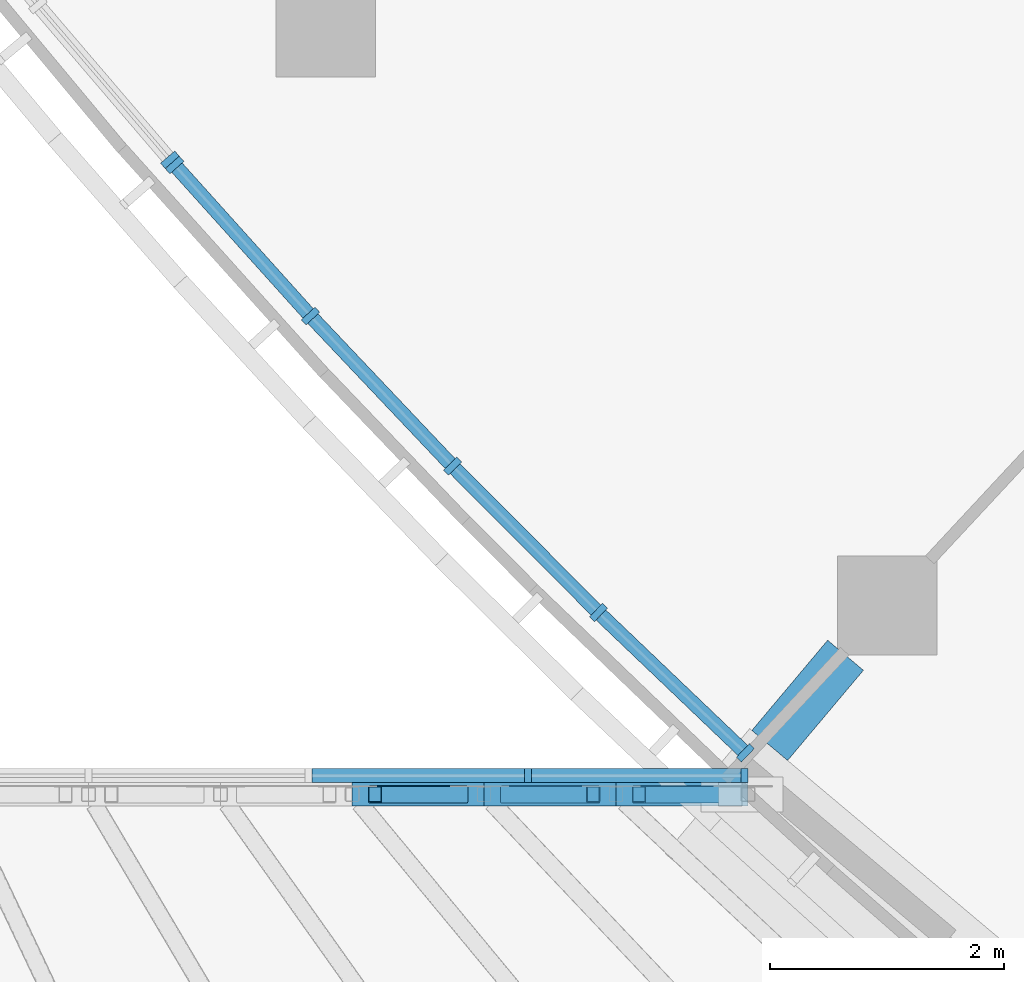
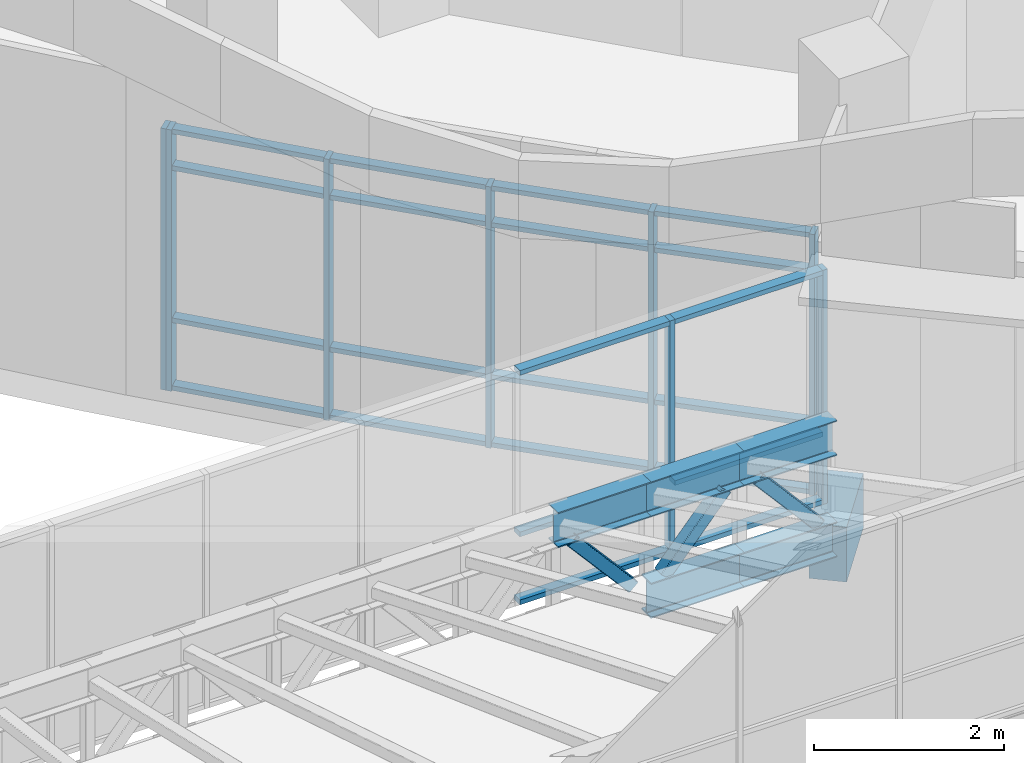
# One storey, part 7 of 136: 38 members, 1 beam, 3 elements without a shape of their own.
"""IFC4 building model written with IfcOpenShell, lengths in metres."""

from ifc_helpers import new_model, si_unit, direction, frame, origin, origin_2d, place, context, subcontext, project, spatial, rectangle, hollow_rectangle, i_section, extrude, material, material_profile, profile_set, type_object, element, aggregate, save


model = new_model("IFC4")

# Units and contexts
model_context = context("Model", 3, precision=1e-05, world=origin(), true_north=direction((0.0, 1.0)))
body_context = subcontext(model_context, "Body", "Model", "MODEL_VIEW")
ifc_project = project(units=[si_unit("LENGTHUNIT", "METRE"), si_unit("AREAUNIT", "SQUARE_METRE"), si_unit("VOLUMEUNIT", "CUBIC_METRE"), si_unit("PLANEANGLEUNIT", "RADIAN"), si_unit("MASSUNIT", "GRAM", prefix="KILO")], contexts=[model_context])

# Site, building, storey
site_placement = place(None, origin())
site = spatial("IfcSite", under=ifc_project, at=site_placement, CompositionType="ELEMENT")
building_placement = place(site_placement, origin())
building = spatial("IfcBuilding", under=site, at=building_placement, Name="Bougainvillea Quay General Hospital", CompositionType="ELEMENT")
storey_placement = place(building_placement, frame((0.0, 0.0, 5.39990234375)))
storey = spatial("IfcBuildingStorey", under=building, at=storey_placement, Name="L01", CompositionType="ELEMENT", Elevation=5.39990234375)

# Curtain wall, members
ifc_material_1 = material(Name="Aluminium curtain wall system, powder-coated glazed", Category="aluminium")
curtain_wall_type = type_object("IfcCurtainWallType", Name="Unitised curtain wall CW-2100", PredefinedType="NOTDEFINED", material=ifc_material_1)
curtain_wall_1_placement = place(storey_placement, origin())
curtain_wall_1 = element("IfcCurtainWall", 1, at=curtain_wall_1_placement, inside=storey, type_object=curtain_wall_type, Name="BG-L L", PredefinedType="NOTDEFINED")
ifc_material_2 = material(Name="Aluminium mullion, powder-coated charcoal", Category="aluminium")
ifc_material_profile_1 = material_profile(ifc_material_2, rectangle(XDim=0.1201171875, YDim=0.06005859375, at=origin_2d()))
ifc_profile_set_1 = profile_set([ifc_material_profile_1], Name="Aluminium mullion, powder-coated charcoal")
member_type_1 = type_object("IfcMemberType", Name="Curtain wall mullion 120x60", PredefinedType="MULLION", material=ifc_profile_set_1)
member_1_placement = place(storey_placement, frame((59.80615234375, 74.760009765625, 0.0), z_axis=(0.0, 0.0, 1.0), x_axis=(0.0, 1.0, 0.0)))
member_1 = element("IfcMember", 2, at=member_1_placement, type_object=member_type_1, Name="BG-L mullion 6", PredefinedType="MULLION", context=body_context, shape_type="SweptSolid", body=[
    extrude(rectangle(XDim=0.1201171875, YDim=0.06005859375, at=origin_2d()), origin(), (0.0, 0.0, 1.0), 3.0),
])
member_2_placement = place(storey_placement, frame((61.657470703125, 74.760009765625, 0.0), z_axis=(0.0, 0.0, 1.0), x_axis=(0.0, 1.0, 0.0)))
member_2 = element("IfcMember", 3, at=member_2_placement, type_object=member_type_1, Name="BG-L mullion 7", PredefinedType="MULLION", context=body_context, shape_type="SweptSolid", body=[
    extrude(rectangle(XDim=0.1201171875, YDim=0.06005859375, at=origin_2d()), origin(), (0.0, 0.0, 1.0), 3.0),
])

curtain_wall_2_placement = place(storey_placement, origin())
curtain_wall_2 = element("IfcCurtainWall", 4, at=curtain_wall_2_placement, inside=storey, type_object=curtain_wall_type, Name="CW-W04 a01b3", PredefinedType="NOTDEFINED")
ifc_material_profile_2 = material_profile(ifc_material_2, rectangle(XDim=0.159912109375, YDim=0.06005859375, at=origin_2d()))
ifc_profile_set_2 = profile_set([ifc_material_profile_2], Name="Aluminium mullion, powder-coated charcoal")
member_type_2 = type_object("IfcMemberType", Name="Curtain wall mullion 160x60", PredefinedType="MULLION", material=ifc_profile_set_2)
member_3_placement = place(storey_placement, frame((61.666015625, 74.955810546875, 0.0), z_axis=(0.0, 0.0, 1.0), x_axis=(-0.690409082244, -0.72341917251, 0.0)))
member_3 = element("IfcMember", 5, at=member_3_placement, type_object=member_type_2, Name="CW-W04 mullion 1", PredefinedType="MULLION", context=body_context, shape_type="SweptSolid", body=[
    extrude(rectangle(XDim=0.159912109375, YDim=0.06005859375, at=origin_2d()), origin(), (0.0, 0.0, 1.0), 3.35009765625),
])
member_4_placement = place(storey_placement, frame((60.407958984375, 76.15625, 0.0), z_axis=(0.0, 0.0, 1.0), x_axis=(-0.699526158712, -0.714606992183, 0.0)))
member_4 = element("IfcMember", 6, at=member_4_placement, type_object=member_type_2, Name="CW-W04 mullion 2", PredefinedType="MULLION", context=body_context, shape_type="SweptSolid", body=[
    extrude(rectangle(XDim=0.159912109375, YDim=0.06005859375, at=origin_2d()), origin(), (0.0, 0.0, 1.0), 3.35009765625),
])
member_5_placement = place(storey_placement, frame((59.159912109375, 77.409423828125, 0.0), z_axis=(0.0, 0.0, 1.0), x_axis=(-0.717421463702, -0.69663939267, 0.0)))
member_5 = element("IfcMember", 7, at=member_5_placement, type_object=member_type_2, Name="CW-W04 mullion 3", PredefinedType="MULLION", context=body_context, shape_type="SweptSolid", body=[
    extrude(rectangle(XDim=0.159912109375, YDim=0.06005859375, at=origin_2d()), origin(), (0.0, 0.0, 1.0), 3.35009765625),
])
member_6_placement = place(storey_placement, frame((57.94384765625, 78.69384765625, 0.0), z_axis=(0.0, 0.0, 1.0), x_axis=(-0.734855411756, -0.678223800683, 0.0)))
member_6 = element("IfcMember", 8, at=member_6_placement, type_object=member_type_2, Name="CW-W04 mullion 4", PredefinedType="MULLION", context=body_context, shape_type="SweptSolid", body=[
    extrude(rectangle(XDim=0.159912109375, YDim=0.06005859375, at=origin_2d()), origin(), (0.0, 0.0, 1.0), 3.35009765625),
])
member_7_placement = place(storey_placement, frame((56.78076171875, 79.986572265625, 0.0), z_axis=(0.0, 0.0, 1.0), x_axis=(-0.743395861593, -0.668851697289, 0.0)))
member_7 = element("IfcMember", 9, at=member_7_placement, type_object=member_type_2, Name="CW-W04 mullion 5", PredefinedType="MULLION", context=body_context, shape_type="SweptSolid", body=[
    extrude(rectangle(XDim=0.159912109375, YDim=0.06005859375, at=origin_2d()), origin(), (0.0, 0.0, 1.0), 3.35009765625),
])

# Curtain wall, member
curtain_wall_3_placement = place(storey_placement, origin())
curtain_wall_3 = element("IfcCurtainWall", 10, at=curtain_wall_3_placement, inside=storey, type_object=curtain_wall_type, Name="CW-W05 a01b4", PredefinedType="NOTDEFINED")
member_8_placement = place(storey_placement, frame((56.7412109375, 80.031494140625, 0.0), z_axis=(0.0, 0.0, 1.0), x_axis=(-0.760116847627, -0.649786409486, 0.0)))
member_8 = element("IfcMember", 11, at=member_8_placement, type_object=member_type_2, Name="CW-W05 mullion 1", PredefinedType="MULLION", context=body_context, shape_type="SweptSolid", body=[
    extrude(rectangle(XDim=0.159912109375, YDim=0.06005859375, at=origin_2d()), origin(), (0.0, 0.0, 1.0), 3.35009765625),
])
aggregate(curtain_wall_3, [member_8])

# Member
ifc_material_3 = material(Name="Aluminium transom, powder-coated charcoal", Category="aluminium")
ifc_material_profile_3 = material_profile(ifc_material_3, rectangle(XDim=0.1201171875, YDim=0.06005859375, at=origin_2d()))
ifc_profile_set_3 = profile_set([ifc_material_profile_3], Name="Aluminium transom, powder-coated charcoal")
member_type_3 = type_object("IfcMemberType", Name="Curtain wall transom 120x60", PredefinedType="USERDEFINED", material=ifc_profile_set_3)
member_9_placement = place(storey_placement, frame((61.644287109375, 74.976318359375, 0.030029296875), z_axis=(-0.723418264264, 0.690410033914, 0.0), x_axis=(-0.690410033914, -0.723418264264, 0.0)))
member_9 = element("IfcMember", 12, at=member_9_placement, type_object=member_type_3, Name="CW-W04 transom 1.1", ObjectType="TRANSOM", PredefinedType="USERDEFINED", context=body_context, shape_type="SweptSolid", body=[
    extrude(rectangle(XDim=0.1201171875, YDim=0.06005859375, at=origin_2d()), origin(), (0.0, 0.0, 1.0), 1.678955078125),
])

member_10_placement = place(storey_placement, frame((61.644287109375, 74.976318359375, 0.900146484375), z_axis=(-0.723418264264, 0.690410033914, 0.0), x_axis=(-0.690410033914, -0.723418264264, 0.0)))
member_10 = element("IfcMember", 13, at=member_10_placement, type_object=member_type_3, Name="CW-W04 transom 1.2", ObjectType="TRANSOM", PredefinedType="USERDEFINED", context=body_context, shape_type="SweptSolid", body=[
    extrude(rectangle(XDim=0.1201171875, YDim=0.06005859375, at=origin_2d()), origin(), (0.0, 0.0, 1.0), 1.678955078125),
])

member_11_placement = place(storey_placement, frame((61.644287109375, 74.976318359375, 2.85009765625), z_axis=(-0.723418264264, 0.690410033914, 0.0), x_axis=(-0.690410033914, -0.723418264264, 0.0)))
member_11 = element("IfcMember", 14, at=member_11_placement, type_object=member_type_3, Name="CW-W04 transom 1.3", ObjectType="TRANSOM", PredefinedType="USERDEFINED", context=body_context, shape_type="SweptSolid", body=[
    extrude(rectangle(XDim=0.1201171875, YDim=0.06005859375, at=origin_2d()), origin(), (0.0, 0.0, 1.0), 1.678955078125),
])

member_12_placement = place(storey_placement, frame((61.644287109375, 74.976318359375, 3.320068359375), z_axis=(-0.723418264264, 0.690410033914, 0.0), x_axis=(-0.690410033914, -0.723418264264, 0.0)))
member_12 = element("IfcMember", 15, at=member_12_placement, type_object=member_type_3, Name="CW-W04 transom 1.4", ObjectType="TRANSOM", PredefinedType="USERDEFINED", context=body_context, shape_type="SweptSolid", body=[
    extrude(rectangle(XDim=0.1201171875, YDim=0.06005859375, at=origin_2d()), origin(), (0.0, 0.0, 1.0), 1.678955078125),
])

member_13_placement = place(storey_placement, frame((60.386962890625, 76.177490234375, 0.030029296875), z_axis=(-0.705676553405, 0.708534121955, 0.0), x_axis=(-0.708534121955, -0.705676553405, 0.0)))
member_13 = element("IfcMember", 16, at=member_13_placement, type_object=member_type_3, Name="CW-W04 transom 2.1", ObjectType="TRANSOM", PredefinedType="USERDEFINED", context=body_context, shape_type="SweptSolid", body=[
    extrude(rectangle(XDim=0.1201171875, YDim=0.06005859375, at=origin_2d()), origin(), (0.0, 0.0, 1.0), 1.708740234375),
])

member_14_placement = place(storey_placement, frame((60.386962890625, 76.177490234375, 0.900146484375), z_axis=(-0.705676553405, 0.708534121955, 0.0), x_axis=(-0.708534121955, -0.705676553405, 0.0)))
member_14 = element("IfcMember", 17, at=member_14_placement, type_object=member_type_3, Name="CW-W04 transom 2.2", ObjectType="TRANSOM", PredefinedType="USERDEFINED", context=body_context, shape_type="SweptSolid", body=[
    extrude(rectangle(XDim=0.1201171875, YDim=0.06005859375, at=origin_2d()), origin(), (0.0, 0.0, 1.0), 1.708740234375),
])

member_15_placement = place(storey_placement, frame((60.386962890625, 76.177490234375, 2.85009765625), z_axis=(-0.705676553405, 0.708534121955, 0.0), x_axis=(-0.708534121955, -0.705676553405, 0.0)))
member_15 = element("IfcMember", 18, at=member_15_placement, type_object=member_type_3, Name="CW-W04 transom 2.3", ObjectType="TRANSOM", PredefinedType="USERDEFINED", context=body_context, shape_type="SweptSolid", body=[
    extrude(rectangle(XDim=0.1201171875, YDim=0.06005859375, at=origin_2d()), origin(), (0.0, 0.0, 1.0), 1.708740234375),
])

member_16_placement = place(storey_placement, frame((60.386962890625, 76.177490234375, 3.320068359375), z_axis=(-0.705676553405, 0.708534121955, 0.0), x_axis=(-0.708534121955, -0.705676553405, 0.0)))
member_16 = element("IfcMember", 19, at=member_16_placement, type_object=member_type_3, Name="CW-W04 transom 2.4", ObjectType="TRANSOM", PredefinedType="USERDEFINED", context=body_context, shape_type="SweptSolid", body=[
    extrude(rectangle(XDim=0.1201171875, YDim=0.06005859375, at=origin_2d()), origin(), (0.0, 0.0, 1.0), 1.708740234375),
])

member_17_placement = place(storey_placement, frame((59.13916015625, 77.43115234375, 0.030029296875), z_axis=(-0.687483060128, 0.726200414512, 0.0), x_axis=(-0.726200414512, -0.687483060128, 0.0)))
member_17 = element("IfcMember", 20, at=member_17_placement, type_object=member_type_3, Name="CW-W04 transom 3.1", ObjectType="TRANSOM", PredefinedType="USERDEFINED", context=body_context, shape_type="SweptSolid", body=[
    extrude(rectangle(XDim=0.1201171875, YDim=0.06005859375, at=origin_2d()), origin(), (0.0, 0.0, 1.0), 1.708740234375),
])

member_18_placement = place(storey_placement, frame((59.13916015625, 77.43115234375, 0.900146484375), z_axis=(-0.687483060128, 0.726200414512, 0.0), x_axis=(-0.726200414512, -0.687483060128, 0.0)))
member_18 = element("IfcMember", 21, at=member_18_placement, type_object=member_type_3, Name="CW-W04 transom 3.2", ObjectType="TRANSOM", PredefinedType="USERDEFINED", context=body_context, shape_type="SweptSolid", body=[
    extrude(rectangle(XDim=0.1201171875, YDim=0.06005859375, at=origin_2d()), origin(), (0.0, 0.0, 1.0), 1.708740234375),
])

member_19_placement = place(storey_placement, frame((59.13916015625, 77.43115234375, 2.85009765625), z_axis=(-0.687483060128, 0.726200414512, 0.0), x_axis=(-0.726200414512, -0.687483060128, 0.0)))
member_19 = element("IfcMember", 22, at=member_19_placement, type_object=member_type_3, Name="CW-W04 transom 3.3", ObjectType="TRANSOM", PredefinedType="USERDEFINED", context=body_context, shape_type="SweptSolid", body=[
    extrude(rectangle(XDim=0.1201171875, YDim=0.06005859375, at=origin_2d()), origin(), (0.0, 0.0, 1.0), 1.708740234375),
])

member_20_placement = place(storey_placement, frame((59.13916015625, 77.43115234375, 3.320068359375), z_axis=(-0.687483060128, 0.726200414512, 0.0), x_axis=(-0.726200414512, -0.687483060128, 0.0)))
member_20 = element("IfcMember", 23, at=member_20_placement, type_object=member_type_3, Name="CW-W04 transom 3.4", ObjectType="TRANSOM", PredefinedType="USERDEFINED", context=body_context, shape_type="SweptSolid", body=[
    extrude(rectangle(XDim=0.1201171875, YDim=0.06005859375, at=origin_2d()), origin(), (0.0, 0.0, 1.0), 1.708740234375),
])

member_21_placement = place(storey_placement, frame((57.923828125, 78.71630859375, 0.030029296875), z_axis=(-0.668892408727, 0.743359230485, 0.0), x_axis=(-0.743359230485, -0.668892408727, 0.0)))
member_21 = element("IfcMember", 24, at=member_21_placement, type_object=member_type_3, Name="CW-W04 transom 4.1", ObjectType="TRANSOM", PredefinedType="USERDEFINED", context=body_context, shape_type="SweptSolid", body=[
    extrude(rectangle(XDim=0.1201171875, YDim=0.06005859375, at=origin_2d()), origin(), (0.0, 0.0, 1.0), 1.6787109375),
])

member_22_placement = place(storey_placement, frame((57.923828125, 78.71630859375, 0.900146484375), z_axis=(-0.668892408727, 0.743359230485, 0.0), x_axis=(-0.743359230485, -0.668892408727, 0.0)))
member_22 = element("IfcMember", 25, at=member_22_placement, type_object=member_type_3, Name="CW-W04 transom 4.2", ObjectType="TRANSOM", PredefinedType="USERDEFINED", context=body_context, shape_type="SweptSolid", body=[
    extrude(rectangle(XDim=0.1201171875, YDim=0.06005859375, at=origin_2d()), origin(), (0.0, 0.0, 1.0), 1.6787109375),
])

member_23_placement = place(storey_placement, frame((57.923828125, 78.71630859375, 2.85009765625), z_axis=(-0.668892408727, 0.743359230485, 0.0), x_axis=(-0.743359230485, -0.668892408727, 0.0)))
member_23 = element("IfcMember", 26, at=member_23_placement, type_object=member_type_3, Name="CW-W04 transom 4.3", ObjectType="TRANSOM", PredefinedType="USERDEFINED", context=body_context, shape_type="SweptSolid", body=[
    extrude(rectangle(XDim=0.1201171875, YDim=0.06005859375, at=origin_2d()), origin(), (0.0, 0.0, 1.0), 1.6787109375),
])

member_24_placement = place(storey_placement, frame((57.923828125, 78.71630859375, 3.320068359375), z_axis=(-0.668892408727, 0.743359230485, 0.0), x_axis=(-0.743359230485, -0.668892408727, 0.0)))
member_24 = element("IfcMember", 27, at=member_24_placement, type_object=member_type_3, Name="CW-W04 transom 4.4", ObjectType="TRANSOM", PredefinedType="USERDEFINED", context=body_context, shape_type="SweptSolid", body=[
    extrude(rectangle(XDim=0.1201171875, YDim=0.06005859375, at=origin_2d()), origin(), (0.0, 0.0, 1.0), 1.6787109375),
])

aggregate(curtain_wall_2, [member_3, member_4, member_5, member_6, member_7, member_9, member_10, member_11, member_12, member_13, member_14, member_15, member_16, member_17, member_18, member_19, member_20, member_21, member_22, member_23, member_24])

member_25_placement = place(storey_placement, frame((57.955078125, 74.760009765625, 0.030029296875), z_axis=(1.0, 0.0, 0.0), x_axis=(0.0, 1.0, 0.0)))
member_25 = element("IfcMember", 28, at=member_25_placement, type_object=member_type_3, Name="BG-L transom 5.1", ObjectType="TRANSOM", PredefinedType="USERDEFINED", context=body_context, shape_type="SweptSolid", body=[
    extrude(rectangle(XDim=0.1201171875, YDim=0.06005859375, at=origin_2d()), origin(), (0.0, 0.0, 1.0), 1.821044921875),
])

member_26_placement = place(storey_placement, frame((57.955078125, 74.760009765625, 0.900146484375), z_axis=(1.0, 0.0, 0.0), x_axis=(0.0, 1.0, 0.0)))
member_26 = element("IfcMember", 29, at=member_26_placement, type_object=member_type_3, Name="BG-L transom 5.2", ObjectType="TRANSOM", PredefinedType="USERDEFINED", context=body_context, shape_type="SweptSolid", body=[
    extrude(rectangle(XDim=0.1201171875, YDim=0.06005859375, at=origin_2d()), origin(), (0.0, 0.0, 1.0), 1.821044921875),
])

member_27_placement = place(storey_placement, frame((57.955078125, 74.760009765625, 2.97021484375), z_axis=(1.0, 0.0, 0.0), x_axis=(0.0, 1.0, 0.0)))
member_27 = element("IfcMember", 30, at=member_27_placement, type_object=member_type_3, Name="BG-L transom 5.3", ObjectType="TRANSOM", PredefinedType="USERDEFINED", context=body_context, shape_type="SweptSolid", body=[
    extrude(rectangle(XDim=0.1201171875, YDim=0.06005859375, at=origin_2d()), origin(), (0.0, 0.0, 1.0), 1.821044921875),
])

member_28_placement = place(storey_placement, frame((59.836181640625, 74.760009765625, 0.030029296875), z_axis=(1.0, 0.0, 0.0), x_axis=(0.0, 1.0, 0.0)))
member_28 = element("IfcMember", 31, at=member_28_placement, type_object=member_type_3, Name="BG-L transom 6.1", ObjectType="TRANSOM", PredefinedType="USERDEFINED", context=body_context, shape_type="SweptSolid", body=[
    extrude(rectangle(XDim=0.1201171875, YDim=0.06005859375, at=origin_2d()), origin(), (0.0, 0.0, 1.0), 1.791259765625),
])

member_29_placement = place(storey_placement, frame((59.836181640625, 74.760009765625, 0.900146484375), z_axis=(1.0, 0.0, 0.0), x_axis=(0.0, 1.0, 0.0)))
member_29 = element("IfcMember", 32, at=member_29_placement, type_object=member_type_3, Name="BG-L transom 6.2", ObjectType="TRANSOM", PredefinedType="USERDEFINED", context=body_context, shape_type="SweptSolid", body=[
    extrude(rectangle(XDim=0.1201171875, YDim=0.06005859375, at=origin_2d()), origin(), (0.0, 0.0, 1.0), 1.791259765625),
])

member_30_placement = place(storey_placement, frame((59.836181640625, 74.760009765625, 2.97021484375), z_axis=(1.0, 0.0, 0.0), x_axis=(0.0, 1.0, 0.0)))
member_30 = element("IfcMember", 33, at=member_30_placement, type_object=member_type_3, Name="BG-L transom 6.3", ObjectType="TRANSOM", PredefinedType="USERDEFINED", context=body_context, shape_type="SweptSolid", body=[
    extrude(rectangle(XDim=0.1201171875, YDim=0.06005859375, at=origin_2d()), origin(), (0.0, 0.0, 1.0), 1.791259765625),
])

aggregate(curtain_wall_1, [member_1, member_2, member_25, member_26, member_27, member_28, member_29, member_30])

# Members
ifc_material_4 = material(Name="Steel Q355", Category="steel")
ifc_material_profile_4 = material_profile(ifc_material_4, i_section(OverallWidth=0.199951171875, OverallDepth=0.449951171875, WebThickness=0.009033203125, FlangeThickness=0.013916015625, FilletRadius=0.012939453125, at=origin_2d()))
ifc_profile_set_4 = profile_set([ifc_material_profile_4], Name="Steel Q355")
member_type_4 = type_object("IfcMemberType", Name="HN 450x200x9x14 Q355 CHORD", PredefinedType="CHORD", material=ifc_profile_set_4)
for number, where, z_axis, x_axis, name in (
    (34, (58.30126953125, 74.60009765625, 0.955078125), (1.0, 0.0, 0.0), (0.0, 1.0, 0.0), "Top chord"),
    (35, (59.429931640625, 74.60009765625, -0.344970703125), (1.0, 0.0, 0.0), (0.0, 1.0, 0.0), "Bottom chord"),
    (36, (59.429931640625, 74.60009765625, 0.955078125), (1.0, 0.0, 0.0), (0.0, 1.0, 0.0), "Top chord"),
):
    element("IfcMember", number, at=place(storey_placement, frame(where, z_axis=z_axis, x_axis=x_axis)), inside=storey, type_object=member_type_4, Name=name, PredefinedType="CHORD", context=body_context, shape_type="SweptSolid", body=[
        extrude(i_section(OverallWidth=0.199951171875, OverallDepth=0.449951171875, WebThickness=0.009033203125, FlangeThickness=0.013916015625, FilletRadius=0.012939453125, at=origin_2d()), origin(), (0.0, 0.0, 1.0), 1.128662109375),
    ])
for number, where, z_axis, x_axis, name in (
    (37, (60.55859375, 74.60009765625, -0.344970703125), (1.0, 0.0, 0.0), (0.0, 1.0, 0.0), "Bottom chord"),
    (38, (60.55859375, 74.60009765625, 0.955078125), (1.0, 0.0, 0.0), (0.0, 1.0, 0.0), "Top chord"),
):
    element("IfcMember", number, at=place(storey_placement, frame(where, z_axis=z_axis, x_axis=x_axis)), inside=storey, type_object=member_type_4, Name=name, PredefinedType="CHORD", context=body_context, shape_type="SweptSolid", body=[
        extrude(i_section(OverallWidth=0.199951171875, OverallDepth=0.449951171875, WebThickness=0.009033203125, FlangeThickness=0.013916015625, FilletRadius=0.012939453125, at=origin_2d()), origin(), (0.0, 0.0, 1.0), 1.12890625),
    ])

# Beam
ifc_material_5 = material(Name="Concrete C40", Category="concrete")
ifc_material_profile_5 = material_profile(ifc_material_5, rectangle(XDim=0.39990234375, YDim=0.699951171875, at=origin_2d()))
ifc_profile_set_5 = profile_set([ifc_material_profile_5], Name="Concrete C40")
beam_type = type_object("IfcBeamType", Name="RC BEAM 400x700 C40", PredefinedType="BEAM", material=ifc_profile_set_5)
beam_placement = place(storey_placement, frame((62.52294921875, 75.791015625, -0.89990234375), z_axis=(-0.643345335984, -0.765576108998, 0.0), x_axis=(0.765576108998, -0.643345335984, 0.0)))
element("IfcBeam", 39, at=beam_placement, inside=storey, type_object=beam_type, Name="Landing stub beam", PredefinedType="BEAM", context=body_context, shape_type="SweptSolid", body=[
    extrude(rectangle(XDim=0.39990234375, YDim=0.699951171875, at=origin_2d()), origin(), (0.0, 0.0, 1.0), 1.0087890625),
])

# Members
ifc_material_profile_6 = material_profile(ifc_material_4, hollow_rectangle(XDim=0.14990234375, YDim=0.14990234375, WallThickness=0.008056640625, InnerFilletRadius=0.008056640625, OuterFilletRadius=0.01611328125, at=origin_2d()))
ifc_profile_set_6 = profile_set([ifc_material_profile_6], Name="Steel Q355")
member_type_5 = type_object("IfcMemberType", Name="SHS 150x150x8 Q355 BRACE", PredefinedType="BRACE", material=ifc_profile_set_6)
for number, where, z_axis, x_axis, name in (
    (40, (59.234619140625, 74.60009765625, -0.119873046875), (-0.655689909374, 0.0, 0.755030292601), (0.0, -1.0, 0.0), "Truss diagonal"),
    (41, (59.625244140625, 74.60009765625, -0.119873046875), (0.655689909374, 0.0, 0.755030292601), (0.0, 1.0, 0.0), "Truss diagonal"),
    (42, (61.4921875, 74.60009765625, -0.119873046875), (-0.655689909374, 0.0, 0.755030292601), (0.0, -1.0, 0.0), "Truss diagonal"),
):
    element("IfcMember", number, at=place(storey_placement, frame(where, z_axis=z_axis, x_axis=x_axis)), inside=storey, type_object=member_type_5, Name=name, PredefinedType="BRACE", context=body_context, shape_type="SweptSolid", body=[
        extrude(hollow_rectangle(XDim=0.14990234375, YDim=0.14990234375, WallThickness=0.008056640625, InnerFilletRadius=0.008056640625, OuterFilletRadius=0.01611328125, at=origin_2d()), origin(), (0.0, 0.0, 1.0), 1.12548828125),
    ])

save(model, "model.ifc")
